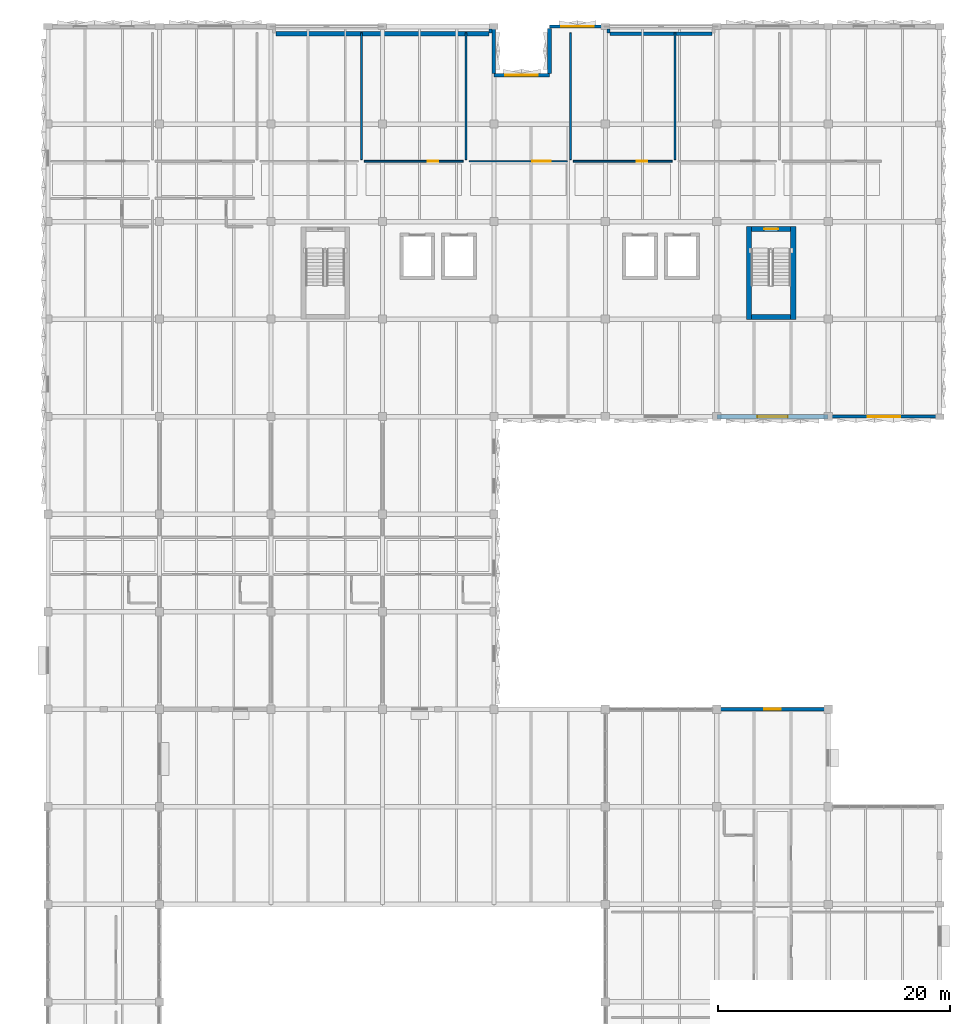
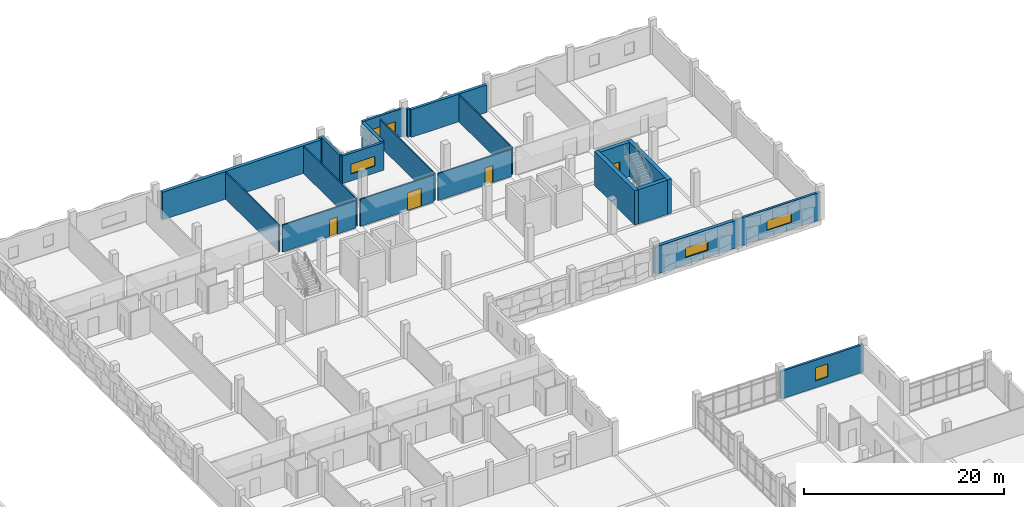
# One storey, part 46 of 57: 22 walls, 5 windows, 4 doors, 9 openings.
"""IFC4 building model written with IfcOpenShell, lengths in metres."""

from ifc_helpers import new_model, si_unit, direction, frame, frame_2d, origin, place, context, subcontext, project, spatial, rectangle, extrude, material, layer, layer_set, type_object, element, fill, save


model = new_model("IFC4")

# Units and contexts
model_context = context("Model", 3, precision=1e-05, world=origin(), true_north=direction((0.0, 1.0)))
body_context = subcontext(model_context, "Body", "Model", "MODEL_VIEW")
ifc_project = project(units=[si_unit("LENGTHUNIT", "METRE"), si_unit("AREAUNIT", "SQUARE_METRE"), si_unit("VOLUMEUNIT", "CUBIC_METRE"), si_unit("PLANEANGLEUNIT", "RADIAN"), si_unit("MASSUNIT", "GRAM", prefix="KILO")], contexts=[model_context])

# Site, building, storey
site_placement = place(None, origin())
site = spatial("IfcSite", under=ifc_project, at=site_placement, CompositionType="ELEMENT")
building_placement = place(site_placement, origin())
building = spatial("IfcBuilding", under=site, at=building_placement, Name="Oolite Switchyard Hospital", CompositionType="ELEMENT")
storey_placement = place(building_placement, frame((0.0, 0.0, 17.800048828125)))
storey = spatial("IfcBuildingStorey", under=building, at=storey_placement, Name="L04", CompositionType="ELEMENT", Elevation=17.800048828125)

# Wall, opening, window
ifc_material_1 = material(Name="Precast oolitic limestone architectural concrete C40/50", Category="masonry")
ifc_layer_1 = layer(ifc_material_1, 0.260009765625)
ifc_layer_set_1 = layer_set([ifc_layer_1], Name="WAL-EXT-260")
wall_type_1 = type_object("IfcWallType", Name="WAL-EXT-260", PredefinedType="SOLIDWALL", material=ifc_layer_set_1)
wall_1_placement = place(storey_placement, frame((192.0, 75.60009765625, 0.0), z_axis=(0.0, 0.0, 1.0), x_axis=(1.0, 0.0, 0.0)))
wall_1 = element("IfcWall", 1, at=wall_1_placement, inside=storey, type_object=wall_type_1, Name="L04 Exterior Spandrel Wall 262", PredefinedType="SOLIDWALL", context=body_context, shape_type="SweptSolid", body=[
    extrude(rectangle(XDim=9.60009765625, YDim=0.260009765625, at=frame_2d((4.800048828125, 0.0))), origin(), (0.0, 0.0, 1.0), 3.389892578125),
])
opening_1_placement = place(wall_1_placement, frame((4.074951171875, 0.0, 0.85009765625)))
opening_1 = element("IfcOpeningElement", 2, at=opening_1_placement, cuts=wall_1, Name="Opening WN-0157", PredefinedType="OPENING", context=body_context, shape_type="SweptSolid", body=[
    extrude(rectangle(XDim=1.449951171875, YDim=1.60009765625, at=frame_2d((0.72509765625, 0.800048828125))), frame((0.0, 0.14013671875, 0.0), z_axis=(0.0, -1.0, 0.0), x_axis=(1.0, 0.0, 0.0)), (0.0, 0.0, 1.0), 0.280029296875),
])
ifc_material_2 = material(Name="Thermally broken aluminum frame with laminated impact glazing", Category="aluminium")
window_type_1 = type_object("IfcWindowType", Name="WIN-IMP-145X160", PartitioningType="SINGLE_PANEL", PredefinedType="WINDOW", material=ifc_material_2)
window_1_placement = place(opening_1_placement, origin())
window_1 = element("IfcWindow", 3, at=window_1_placement, inside=storey, type_object=window_type_1, Name="L04 Hurricane Impact Window WN-0157", OverallHeight=1.60009765625, OverallWidth=1.449951171875, PartitioningType="SINGLE_PANEL", PredefinedType="WINDOW", context=body_context, shape_type="SweptSolid", body=[
    extrude(rectangle(XDim=1.449951171875, YDim=1.60009765625, at=frame_2d((0.72509765625, 0.800048828125))), frame((0.0, 0.030029296875, 0.0), z_axis=(0.0, -1.0, 0.0), x_axis=(1.0, 0.0, 0.0)), (0.0, 0.0, 1.0), 0.06005859375),
])
fill(opening_1, window_1)

wall_2_placement = place(storey_placement, frame((211.199951171875, 100.800048828125, 0.0), z_axis=(0.0, 0.0, 1.0), x_axis=(-1.0, 0.0, 0.0)))
wall_2 = element("IfcWall", 4, at=wall_2_placement, inside=storey, type_object=wall_type_1, Name="L04 Exterior Spandrel Wall 269", PredefinedType="SOLIDWALL", context=body_context, shape_type="SweptSolid", body=[
    extrude(rectangle(XDim=9.599853515625, YDim=0.260009765625, at=frame_2d((4.7998046875, 0.0))), origin(), (0.0, 0.0, 1.0), 3.389892578125),
])
opening_2_placement = place(wall_2_placement, frame((3.39990234375, 0.0, 0.85009765625)))
opening_2 = element("IfcOpeningElement", 5, at=opening_2_placement, cuts=wall_2, Name="Opening WN-0164", PredefinedType="OPENING", context=body_context, shape_type="SweptSolid", body=[
    extrude(rectangle(XDim=2.800048828125, YDim=1.199951171875, at=frame_2d((1.39990234375, 0.60009765625))), frame((0.0, 0.14013671875, 0.0), z_axis=(0.0, -1.0, 0.0), x_axis=(1.0, 0.0, 0.0)), (0.0, 0.0, 1.0), 0.280029296875),
])
window_type_2 = type_object("IfcWindowType", Name="WIN-IMP-280X120", PartitioningType="SINGLE_PANEL", PredefinedType="WINDOW", material=ifc_material_2)
window_2_placement = place(opening_2_placement, origin())
window_2 = element("IfcWindow", 6, at=window_2_placement, inside=storey, type_object=window_type_2, Name="L04 Hurricane Impact Window WN-0164", OverallHeight=1.199951171875, OverallWidth=2.800048828125, PartitioningType="SINGLE_PANEL", PredefinedType="WINDOW", context=body_context, shape_type="SweptSolid", body=[
    extrude(rectangle(XDim=2.800048828125, YDim=1.199951171875, at=frame_2d((1.39990234375, 0.60009765625))), frame((0.0, 0.030029296875, 0.0), z_axis=(0.0, -1.0, 0.0), x_axis=(1.0, 0.0, 0.0)), (0.0, 0.0, 1.0), 0.06005859375),
])
fill(opening_2, window_2)

# Wall
wall_3_placement = place(storey_placement, frame((172.52001953125, 134.199951171875, 0.0), z_axis=(0.0, 0.0, 1.0), x_axis=(0.0, -1.0, 0.0)))
element("IfcWall", 7, at=wall_3_placement, inside=storey, type_object=wall_type_1, Name="L04 Brace Alcove Cheek Wall 274", PredefinedType="SOLIDWALL", context=body_context, shape_type="SweptSolid", body=[
    extrude(rectangle(XDim=0.35986328125, YDim=0.260009765625, at=frame_2d((0.179931640625, 0.0))), origin(), (0.0, 0.0, 1.0), 3.389892578125),
])

# Wall, opening, window
wall_4_placement = place(storey_placement, frame((177.60009765625, 134.39990234375, 0.0), z_axis=(0.0, 0.0, 1.0), x_axis=(1.0, 0.0, 0.0)))
wall_4 = element("IfcWall", 8, at=wall_4_placement, inside=storey, type_object=wall_type_1, Name="L04 Exterior Spandrel Wall 276", PredefinedType="SOLIDWALL", context=body_context, shape_type="SweptSolid", body=[
    extrude(rectangle(XDim=4.7998046875, YDim=0.260009765625, at=frame_2d((2.39990234375, 0.0))), origin(), (0.0, 0.0, 1.0), 3.389892578125),
])
opening_3_placement = place(wall_4_placement, frame((1.0, 0.0, 0.85009765625)))
opening_3 = element("IfcOpeningElement", 9, at=opening_3_placement, cuts=wall_4, Name="Opening WN-0169", PredefinedType="OPENING", context=body_context, shape_type="SweptSolid", body=[
    extrude(rectangle(XDim=2.800048828125, YDim=1.199951171875, at=frame_2d((1.39990234375, 0.60009765625))), frame((0.0, 0.14013671875, 0.0), z_axis=(0.0, -1.0, 0.0), x_axis=(1.0, 0.0, 0.0)), (0.0, 0.0, 1.0), 0.280029296875),
])
window_3_placement = place(opening_3_placement, origin())
window_3 = element("IfcWindow", 10, at=window_3_placement, inside=storey, type_object=window_type_2, Name="L04 Hurricane Impact Window WN-0169", OverallHeight=1.199951171875, OverallWidth=2.800048828125, PartitioningType="SINGLE_PANEL", PredefinedType="WINDOW", context=body_context, shape_type="SweptSolid", body=[
    extrude(rectangle(XDim=2.800048828125, YDim=1.199951171875, at=frame_2d((1.39990234375, 0.60009765625))), frame((0.0, 0.030029296875, 0.0), z_axis=(0.0, -1.0, 0.0), x_axis=(1.0, 0.0, 0.0)), (0.0, 0.0, 1.0), 0.06005859375),
])
fill(opening_3, window_3)

# Wall
wall_5_placement = place(storey_placement, frame((182.679931640625, 134.199951171875, 0.0), z_axis=(0.0, 0.0, 1.0), x_axis=(0.0, -1.0, 0.0)))
element("IfcWall", 11, at=wall_5_placement, inside=storey, type_object=wall_type_1, Name="L04 Brace Alcove Cheek Wall 277", PredefinedType="SOLIDWALL", context=body_context, shape_type="SweptSolid", body=[
    extrude(rectangle(XDim=0.35986328125, YDim=0.260009765625, at=frame_2d((0.179931640625, 0.0))), origin(), (0.0, 0.0, 1.0), 3.389892578125),
])

# Wall, opening, window
ifc_layer_2 = layer(ifc_material_1, 0.280029296875)
ifc_layer_set_2 = layer_set([ifc_layer_2], Name="WAL-EXT-280")
wall_type_2 = type_object("IfcWallType", Name="WAL-EXT-280", PredefinedType="SOLIDWALL", material=ifc_layer_set_2)
wall_6_placement = place(storey_placement, frame((172.800048828125, 130.199951171875, 0.0), z_axis=(0.0, 0.0, 1.0), x_axis=(1.0, 0.0, 0.0)))
wall_6 = element("IfcWall", 12, at=wall_6_placement, inside=storey, type_object=wall_type_2, Name="L04 Exterior Spandrel Wall 270", PredefinedType="SOLIDWALL", context=body_context, shape_type="SweptSolid", body=[
    extrude(rectangle(XDim=4.800048828125, YDim=0.280029296875, at=frame_2d((2.39990234375, 0.0))), origin(), (0.0, 0.0, 1.0), 3.389892578125),
])
opening_4_placement = place(wall_6_placement, frame((1.0, 0.0, 0.85009765625)))
opening_4 = element("IfcOpeningElement", 13, at=opening_4_placement, cuts=wall_6, Name="Opening WN-0165", PredefinedType="OPENING", context=body_context, shape_type="SweptSolid", body=[
    extrude(rectangle(XDim=2.800048828125, YDim=1.199951171875, at=frame_2d((1.39990234375, 0.60009765625))), frame((0.0, 0.14990234375, 0.0), z_axis=(0.0, -1.0, 0.0), x_axis=(1.0, 0.0, 0.0)), (0.0, 0.0, 1.0), 0.300048828125),
])
window_4_placement = place(opening_4_placement, origin())
window_4 = element("IfcWindow", 14, at=window_4_placement, inside=storey, type_object=window_type_2, Name="L04 Hurricane Impact Window WN-0165", OverallHeight=1.199951171875, OverallWidth=2.800048828125, PartitioningType="SINGLE_PANEL", PredefinedType="WINDOW", context=body_context, shape_type="SweptSolid", body=[
    extrude(rectangle(XDim=2.800048828125, YDim=1.199951171875, at=frame_2d((1.39990234375, 0.60009765625))), frame((0.0, 0.030029296875, 0.0), z_axis=(0.0, -1.0, 0.0), x_axis=(1.0, 0.0, 0.0)), (0.0, 0.0, 1.0), 0.06005859375),
])
fill(opening_4, window_4)

# Walls
ifc_layer_3 = layer(ifc_material_1, 0.320068359375)
ifc_layer_set_3 = layer_set([ifc_layer_3], Name="WAL-EXT-320")
wall_type_3 = type_object("IfcWallType", Name="WAL-EXT-320", PredefinedType="SOLIDWALL", material=ifc_layer_set_3)
wall_7_placement = place(storey_placement, frame((182.820068359375, 133.780029296875, 0.0), z_axis=(0.0, 0.0, 1.0), x_axis=(1.0, 0.0, 0.0)))
element("IfcWall", 15, at=wall_7_placement, inside=storey, type_object=wall_type_3, Name="L04 Exterior Spandrel Wall 279", PredefinedType="SOLIDWALL", context=body_context, shape_type="SweptSolid", body=[
    extrude(rectangle(XDim=8.760009765625, YDim=0.320068359375, at=frame_2d((4.3798828125, 0.0))), origin(), (0.0, 0.0, 1.0), 3.389892578125),
])
wall_8_placement = place(storey_placement, frame((172.800048828125, 134.239990234375, 0.0), z_axis=(0.0, 0.0, 1.0), x_axis=(0.0, -1.0, 0.0)))
element("IfcWall", 16, at=wall_8_placement, inside=storey, type_object=wall_type_3, Name="L04 Exterior Spandrel Wall 300", PredefinedType="SOLIDWALL", context=body_context, shape_type="SweptSolid", body=[
    extrude(rectangle(XDim=3.8798828125, YDim=0.320068359375, at=frame_2d((1.93994140625, 0.0))), origin(), (0.0, 0.0, 1.0), 3.389892578125),
])
ifc_layer_4 = layer(ifc_material_1, 0.340087890625)
ifc_layer_set_4 = layer_set([ifc_layer_4], Name="WAL-EXT-340")
wall_type_4 = type_object("IfcWallType", Name="WAL-EXT-340", PredefinedType="SOLIDWALL", material=ifc_layer_set_4)
wall_9_placement = place(storey_placement, frame((177.60009765625, 130.360107421875, 0.0), z_axis=(0.0, 0.0, 1.0), x_axis=(0.0, 1.0, 0.0)))
element("IfcWall", 17, at=wall_9_placement, inside=storey, type_object=wall_type_4, Name="L04 Exterior Spandrel Wall 301", PredefinedType="SOLIDWALL", context=body_context, shape_type="SweptSolid", body=[
    extrude(rectangle(XDim=3.8798828125, YDim=0.340087890625, at=frame_2d((1.93994140625, 0.0))), origin(), (0.0, 0.0, 1.0), 3.389892578125),
])

# Wall, opening, window
ifc_layer_5 = layer(ifc_material_1, 0.3798828125)
ifc_layer_set_5 = layer_set([ifc_layer_5], Name="WAL-EXT-380")
wall_type_5 = type_object("IfcWallType", Name="WAL-EXT-380", PredefinedType="SOLIDWALL", material=ifc_layer_set_5)
wall_10_placement = place(storey_placement, frame((201.60009765625, 100.800048828125, 0.0), z_axis=(0.0, 0.0, 1.0), x_axis=(-1.0, 0.0, 0.0)))
wall_10 = element("IfcWall", 18, at=wall_10_placement, inside=storey, type_object=wall_type_5, Name="L04 Exterior Spandrel Wall 268", PredefinedType="SOLIDWALL", context=body_context, shape_type="SweptSolid", body=[
    extrude(rectangle(XDim=9.60009765625, YDim=0.3798828125, at=frame_2d((4.800048828125, 0.0))), origin(), (0.0, 0.0, 1.0), 3.389892578125),
])
opening_5_placement = place(wall_10_placement, frame((3.5, 0.0, 0.85009765625)))
opening_5 = element("IfcOpeningElement", 19, at=opening_5_placement, cuts=wall_10, Name="Opening WN-0163", PredefinedType="OPENING", context=body_context, shape_type="SweptSolid", body=[
    extrude(rectangle(XDim=2.60009765625, YDim=1.199951171875, at=frame_2d((1.300048828125, 0.60009765625))), frame((0.0, 0.199951171875, 0.0), z_axis=(0.0, -1.0, 0.0), x_axis=(1.0, 0.0, 0.0)), (0.0, 0.0, 1.0), 0.39990234375),
])
window_type_3 = type_object("IfcWindowType", Name="WIN-IMP-260X120", PartitioningType="SINGLE_PANEL", PredefinedType="WINDOW", material=ifc_material_2)
window_5_placement = place(opening_5_placement, origin())
window_5 = element("IfcWindow", 20, at=window_5_placement, inside=storey, type_object=window_type_3, Name="L04 Hurricane Impact Window WN-0163", OverallHeight=1.199951171875, OverallWidth=2.60009765625, PartitioningType="SINGLE_PANEL", PredefinedType="WINDOW", context=body_context, shape_type="SweptSolid", body=[
    extrude(rectangle(XDim=2.60009765625, YDim=1.199951171875, at=frame_2d((1.300048828125, 0.60009765625))), frame((0.0, 0.030029296875, 0.0), z_axis=(0.0, -1.0, 0.0), x_axis=(1.0, 0.0, 0.0)), (0.0, 0.0, 1.0), 0.06005859375),
])
fill(opening_5, window_5)

# Walls
wall_11_placement = place(storey_placement, frame((154.02001953125, 133.780029296875, 0.0), z_axis=(0.0, 0.0, 1.0), x_axis=(1.0, 0.0, 0.0)))
element("IfcWall", 21, at=wall_11_placement, inside=storey, type_object=wall_type_5, Name="L04 Exterior Spandrel Wall 275", PredefinedType="SOLIDWALL", context=body_context, shape_type="SweptSolid", body=[
    extrude(rectangle(XDim=18.35986328125, YDim=0.3798828125, at=frame_2d((9.179931640625, 0.0))), origin(), (0.0, 0.0, 1.0), 3.389892578125),
])
ifc_material_3 = material(Name="Moisture-resistant gypsum board on steel studs", Category="steel")
ifc_layer_6 = layer(ifc_material_3, 0.135009765625)
ifc_layer_set_6 = layer_set([ifc_layer_6], Name="WAL-PART-135")
wall_type_6 = type_object("IfcWallType", Name="WAL-PART-135", PredefinedType="PARTITIONING", material=ifc_layer_set_6)
for number, where, z_axis, x_axis, name in (
    (22, (161.39990234375, 122.949951171875, 0.0), (0.0, 0.0, 1.0), (0.0, 1.0, 0.0), "L04 Interior Partition 776"),
    (23, (170.39990234375, 122.949951171875, 0.0), (0.0, 0.0, 1.0), (0.0, 1.0, 0.0), "L04 Interior Partition 778"),
    (24, (179.39990234375, 122.949951171875, 0.0), (0.0, 0.0, 1.0), (0.0, 1.0, 0.0), "L04 Interior Partition 780"),
    (25, (188.39990234375, 122.949951171875, 0.0), (0.0, 0.0, 1.0), (0.0, 1.0, 0.0), "L04 Interior Partition 782"),
):
    element("IfcWall", number, at=place(storey_placement, frame(where, z_axis=z_axis, x_axis=x_axis)), inside=storey, type_object=wall_type_6, Name=name, PredefinedType="PARTITIONING", context=body_context, shape_type="SweptSolid", body=[
        extrude(rectangle(XDim=10.900146484375, YDim=0.135009765625, at=frame_2d((5.4501953125, 0.0))), origin(), (0.0, 0.0, 1.0), 3.300048828125),
    ])

# Wall, opening, door
ifc_layer_7 = layer(ifc_material_3, 0.1650390625)
ifc_layer_set_7 = layer_set([ifc_layer_7], Name="WAL-PART-165")
wall_type_7 = type_object("IfcWallType", Name="WAL-PART-165", PredefinedType="PARTITIONING", material=ifc_layer_set_7)
wall_12_placement = place(storey_placement, frame((161.64990234375, 122.800048828125, 0.0), z_axis=(0.0, 0.0, 1.0), x_axis=(1.0, 0.0, 0.0)))
wall_12 = element("IfcWall", 26, at=wall_12_placement, inside=storey, type_object=wall_type_7, Name="L04 Interior Partition 775", PredefinedType="PARTITIONING", context=body_context, shape_type="SweptSolid", body=[
    extrude(rectangle(XDim=8.5, YDim=0.1650390625, at=frame_2d((4.25, 0.0))), origin(), (0.0, 0.0, 1.0), 3.300048828125),
])
opening_6_placement = place(wall_12_placement, frame((5.449951171875, 0.0, 0.0)))
opening_6 = element("IfcOpeningElement", 27, at=opening_6_placement, cuts=wall_12, Name="Opening D-0431", PredefinedType="OPENING", context=body_context, shape_type="SweptSolid", body=[
    extrude(rectangle(XDim=0.89990234375, YDim=2.10009765625, at=frame_2d((0.449951171875, 1.050048828125))), frame((0.0, 0.092529296875, 0.0), z_axis=(0.0, -1.0, 0.0), x_axis=(1.0, 0.0, 0.0)), (0.0, 0.0, 1.0), 0.18505859375),
])
ifc_material_4 = material(Name="Solid-core antimicrobial hardwood leaf in steel frame", Category="steel")
door_type_1 = type_object("IfcDoorType", Name="DR-BATH-090X210", OperationType="NOTDEFINED", PredefinedType="DOOR", material=ifc_material_4)
door_1_placement = place(opening_6_placement, origin())
door_1 = element("IfcDoor", 28, at=door_1_placement, inside=storey, type_object=door_type_1, Name="L04 Interior Door D-0431", OperationType="SINGLE_SWING_LEFT", OverallHeight=2.10009765625, OverallWidth=0.89990234375, PredefinedType="DOOR", context=body_context, shape_type="SweptSolid", body=[
    extrude(rectangle(XDim=0.89990234375, YDim=2.10009765625, at=frame_2d((0.449951171875, 1.050048828125))), frame((0.0, 0.02490234375, 0.0), z_axis=(0.0, -1.0, 0.0), x_axis=(1.0, 0.0, 0.0)), (0.0, 0.0, 1.0), 0.050048828125),
])
fill(opening_6, door_1)

wall_13_placement = place(storey_placement, frame((170.64990234375, 122.800048828125, 0.0), z_axis=(0.0, 0.0, 1.0), x_axis=(1.0, 0.0, 0.0)))
wall_13 = element("IfcWall", 29, at=wall_13_placement, inside=storey, type_object=wall_type_7, Name="L04 Interior Partition 777", PredefinedType="PARTITIONING", context=body_context, shape_type="SweptSolid", body=[
    extrude(rectangle(XDim=8.5, YDim=0.1650390625, at=frame_2d((4.25, 0.0))), origin(), (0.0, 0.0, 1.0), 3.300048828125),
])
opening_7_placement = place(wall_13_placement, frame((5.449951171875, 0.0, 0.0)))
opening_7 = element("IfcOpeningElement", 30, at=opening_7_placement, cuts=wall_13, Name="Opening D-0432", PredefinedType="OPENING", context=body_context, shape_type="SweptSolid", body=[
    extrude(rectangle(XDim=1.60009765625, YDim=2.199951171875, at=frame_2d((0.800048828125, 1.10009765625))), frame((0.0, 0.092529296875, 0.0), z_axis=(0.0, -1.0, 0.0), x_axis=(1.0, 0.0, 0.0)), (0.0, 0.0, 1.0), 0.18505859375),
])
ifc_material_5 = material(Name="Hollow metal fire-rated steel door assembly", Category="steel")
door_type_2 = type_object("IfcDoorType", Name="DR-DBL-160X220", OperationType="NOTDEFINED", PredefinedType="DOOR", material=ifc_material_5)
door_2_placement = place(opening_7_placement, origin())
door_2 = element("IfcDoor", 31, at=door_2_placement, inside=storey, type_object=door_type_2, Name="L04 Interior Door D-0432", OperationType="DOUBLE_DOOR_SINGLE_SWING", OverallHeight=2.199951171875, OverallWidth=1.60009765625, PredefinedType="DOOR", context=body_context, shape_type="SweptSolid", body=[
    extrude(rectangle(XDim=1.60009765625, YDim=2.199951171875, at=frame_2d((0.800048828125, 1.10009765625))), frame((0.0, 0.02490234375, 0.0), z_axis=(0.0, -1.0, 0.0), x_axis=(1.0, 0.0, 0.0)), (0.0, 0.0, 1.0), 0.050048828125),
])
fill(opening_7, door_2)

wall_14_placement = place(storey_placement, frame((179.64990234375, 122.800048828125, 0.0), z_axis=(0.0, 0.0, 1.0), x_axis=(1.0, 0.0, 0.0)))
wall_14 = element("IfcWall", 32, at=wall_14_placement, inside=storey, type_object=wall_type_7, Name="L04 Interior Partition 779", PredefinedType="PARTITIONING", context=body_context, shape_type="SweptSolid", body=[
    extrude(rectangle(XDim=8.5, YDim=0.1650390625, at=frame_2d((4.25, 0.0))), origin(), (0.0, 0.0, 1.0), 3.300048828125),
])
opening_8_placement = place(wall_14_placement, frame((5.449951171875, 0.0, 0.0)))
opening_8 = element("IfcOpeningElement", 33, at=opening_8_placement, cuts=wall_14, Name="Opening D-0433", PredefinedType="OPENING", context=body_context, shape_type="SweptSolid", body=[
    extrude(rectangle(XDim=0.89990234375, YDim=2.10009765625, at=frame_2d((0.449951171875, 1.050048828125))), frame((0.0, 0.092529296875, 0.0), z_axis=(0.0, -1.0, 0.0), x_axis=(1.0, 0.0, 0.0)), (0.0, 0.0, 1.0), 0.18505859375),
])
door_3_placement = place(opening_8_placement, origin())
door_3 = element("IfcDoor", 34, at=door_3_placement, inside=storey, type_object=door_type_1, Name="L04 Interior Door D-0433", OperationType="SINGLE_SWING_LEFT", OverallHeight=2.10009765625, OverallWidth=0.89990234375, PredefinedType="DOOR", context=body_context, shape_type="SweptSolid", body=[
    extrude(rectangle(XDim=0.89990234375, YDim=2.10009765625, at=frame_2d((0.449951171875, 1.050048828125))), frame((0.0, 0.02490234375, 0.0), z_axis=(0.0, -1.0, 0.0), x_axis=(1.0, 0.0, 0.0)), (0.0, 0.0, 1.0), 0.050048828125),
])
fill(opening_8, door_3)

# Walls
ifc_material_6 = material(Name="Concrete C50/60", Category="concrete")
ifc_layer_8 = layer(ifc_material_6, 0.449951171875)
ifc_layer_set_8 = layer_set([ifc_layer_8], Name="WAL-SHR-450")
wall_type_8 = type_object("IfcWallType", Name="WAL-SHR-450", PredefinedType="SHEAR", material=ifc_layer_set_8)
wall_15_placement = place(storey_placement, frame((194.77490234375, 117.199951171875, 0.0), z_axis=(0.0, 0.0, 1.0), x_axis=(0.0, -1.0, 0.0)))
element("IfcWall", 35, at=wall_15_placement, inside=storey, type_object=wall_type_8, Name="L04 Core Shear Wall ST-04", PredefinedType="SHEAR", context=body_context, shape_type="SweptSolid", body=[
    extrude(rectangle(XDim=8.050048828125, YDim=0.449951171875, at=frame_2d((4.02490234375, 0.0))), origin(), (0.0, 0.0, 1.0), 4.199951171875),
])
wall_16_placement = place(storey_placement, frame((195.0, 109.375, 0.0), z_axis=(0.0, 0.0, 1.0), x_axis=(1.0, 0.0, 0.0)))
element("IfcWall", 36, at=wall_16_placement, inside=storey, type_object=wall_type_8, Name="L04 Core Shear Wall ST-04", PredefinedType="SHEAR", context=body_context, shape_type="SweptSolid", body=[
    extrude(rectangle(XDim=3.360107421875, YDim=0.449951171875, at=frame_2d((1.68017578125, 0.0))), origin(), (0.0, 0.0, 1.0), 4.199951171875),
])
wall_17_placement = place(storey_placement, frame((198.5849609375, 109.14990234375, 0.0), z_axis=(0.0, 0.0, 1.0), x_axis=(0.0, 1.0, 0.0)))
element("IfcWall", 37, at=wall_17_placement, inside=storey, type_object=wall_type_8, Name="L04 Core Shear Wall ST-04", PredefinedType="SHEAR", context=body_context, shape_type="SweptSolid", body=[
    extrude(rectangle(XDim=8.050048828125, YDim=0.449951171875, at=frame_2d((4.02490234375, 0.0))), origin(), (0.0, 0.0, 1.0), 4.199951171875),
])

# Wall, opening, door
wall_18_placement = place(storey_placement, frame((198.360107421875, 116.97509765625, 0.0), z_axis=(0.0, 0.0, 1.0), x_axis=(-1.0, 0.0, 0.0)))
wall_18 = element("IfcWall", 38, at=wall_18_placement, inside=storey, type_object=wall_type_8, Name="L04 Core Shear Wall ST-04", PredefinedType="SHEAR", context=body_context, shape_type="SweptSolid", body=[
    extrude(rectangle(XDim=3.360107421875, YDim=0.449951171875, at=frame_2d((1.68017578125, 0.0))), origin(), (0.0, 0.0, 1.0), 4.199951171875),
])
opening_9_placement = place(wall_18_placement, frame((1.080078125, 0.0, 0.0)))
opening_9 = element("IfcOpeningElement", 39, at=opening_9_placement, cuts=wall_18, Name="Opening SD-028", PredefinedType="OPENING", context=body_context, shape_type="SweptSolid", body=[
    extrude(rectangle(XDim=1.199951171875, YDim=2.199951171875, at=frame_2d((0.60009765625, 1.10009765625))), frame((0.0, 0.23486328125, 0.0), z_axis=(0.0, -1.0, 0.0), x_axis=(1.0, 0.0, 0.0)), (0.0, 0.0, 1.0), 0.469970703125),
])
door_type_3 = type_object("IfcDoorType", Name="DR-STR-120X220", OperationType="NOTDEFINED", PredefinedType="DOOR", material=ifc_material_5)
door_4_placement = place(opening_9_placement, origin())
door_4 = element("IfcDoor", 40, at=door_4_placement, inside=storey, type_object=door_type_3, Name="L04 ST-04 Exit Stair Door SD-028", OperationType="SINGLE_SWING_RIGHT", OverallHeight=2.199951171875, OverallWidth=1.199951171875, PredefinedType="DOOR", context=body_context, shape_type="SweptSolid", body=[
    extrude(rectangle(XDim=1.199951171875, YDim=2.199951171875, at=frame_2d((0.60009765625, 1.10009765625))), frame((0.0, 0.02490234375, 0.0), z_axis=(0.0, -1.0, 0.0), x_axis=(1.0, 0.0, 0.0)), (0.0, 0.0, 1.0), 0.050048828125),
])
fill(opening_9, door_4)

save(model, "model.ifc")
